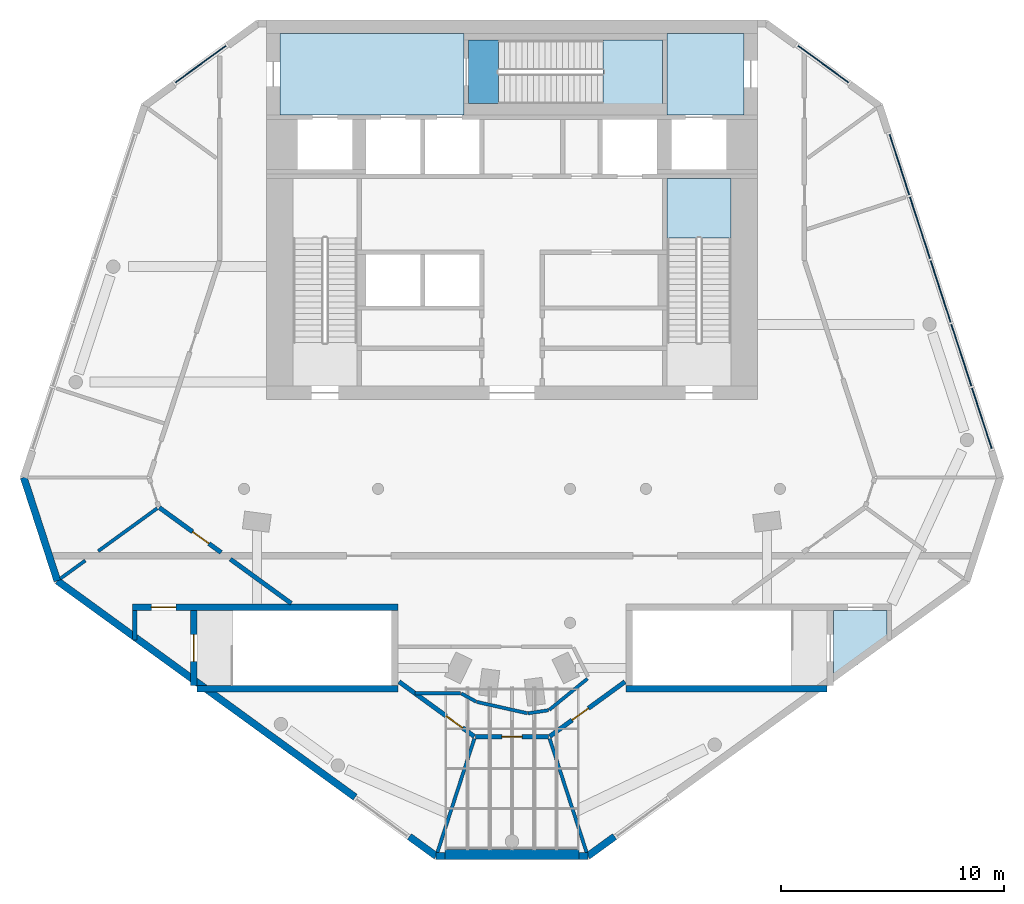
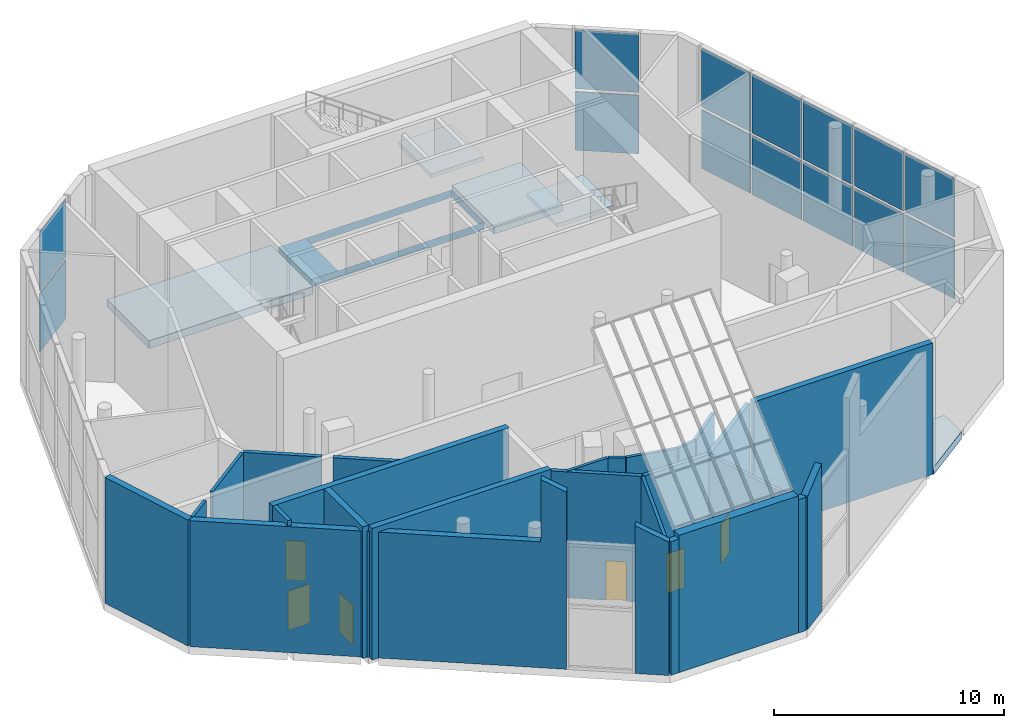
# One storey, part 4 of 9: 26 walls, 14 plates, 6 doors, 6 slabs, 6 openings, 5 elements without a shape of their own.
"""IFC4 building model written with IfcOpenShell, lengths in metres."""

import ifcopenshell
import ifcopenshell.guid

model = None  # the IFC model being written
_history = None  # IfcOwnerHistory: only IFC2X3 demands one
_inside = {}  # id of a spatial element -> (the spatial element, [elements in it])
_under = {}  # id of a project, library or spatial element -> (it, [spatial elements below it])
_declared = {}  # id of a project -> (the project, [libraries it declares])
_typed = {}  # id of a type object -> (the type object, [elements of that type])
_made_of = {}  # id of a material, layer set ... -> (it, [elements and type objects made of it])


def new_model(schema):
    """Start an empty IFC model of exactly this schema.

    Asked for "IFC4X3", IfcOpenShell would pick the latest addendum, in which some entities
    have other attributes; the version numbers below select the first issue.
    IFC2X3 requires an IfcOwnerHistory on every rooted entity: one is made here for all.
    """
    global model, _history
    if schema == "IFC4X3":
        model = ifcopenshell.file(schema_version=(4, 3, 0, 0))
    else:
        model = ifcopenshell.file(schema=schema)
    _inside.clear()
    _under.clear()
    _declared.clear()
    _typed.clear()
    _made_of.clear()
    _history = None
    if model.schema == "IFC2X3":
        org = make("IfcOrganization", Name="unknown")
        user = make(
            "IfcPersonAndOrganization",
            ThePerson=make("IfcPerson", FamilyName="unknown"),
            TheOrganization=org,
        )
        app = make(
            "IfcApplication",
            ApplicationDeveloper=org,
            Version="unknown",
            ApplicationFullName="unknown",
            ApplicationIdentifier="unknown",
        )
        _history = make(
            "IfcOwnerHistory",
            OwningUser=user,
            OwningApplication=app,
            ChangeAction="ADDED",
            CreationDate=0,
        )
    return model


def make(cls, **values):
    """One entity of the class cls with the attributes given. An attribute that is None is left unset."""
    return model.create_entity(
        cls, **{name: value for name, value in values.items() if value is not None}
    )


def rooted(cls, **values):
    """An entity with a GlobalId (a new one), such as an element, a storey or a relation."""
    return make(cls, GlobalId=ifcopenshell.guid.new(), OwnerHistory=_history, **values)


def si_unit(unit_type, name, prefix=None):
    """IfcSIUnit, for example si_unit("LENGTHUNIT", "METRE", prefix="MILLI")."""
    return make("IfcSIUnit", UnitType=unit_type, Prefix=prefix, Name=name)


def assignment(units):
    """IfcUnitAssignment: the units of a project."""
    return None if units is None else make("IfcUnitAssignment", Units=units)


def point(xyz):
    """IfcCartesianPoint."""
    return None if xyz is None else make("IfcCartesianPoint", Coordinates=xyz)


def direction(xyz):
    """IfcDirection."""
    return None if xyz is None else make("IfcDirection", DirectionRatios=xyz)


def frame(location, z_axis=None, x_axis=None):
    """IfcAxis2Placement3D, a coordinate frame: its origin and axes. An axis left out is left unset."""
    return make(
        "IfcAxis2Placement3D",
        Location=point(location),
        Axis=direction(z_axis),
        RefDirection=direction(x_axis),
    )


def frame_2d(location, x_axis=None):
    """IfcAxis2Placement2D, a coordinate frame in the plane: its origin and x axis."""
    return make(
        "IfcAxis2Placement2D", Location=point(location), RefDirection=direction(x_axis)
    )


def origin():
    """The frame at (0, 0, 0) with its axes left unset."""
    return frame((0.0, 0.0, 0.0))


def origin_2d():
    """The frame at (0, 0) in the plane with its x axis left unset."""
    return frame_2d((0.0, 0.0))


def place(relative_to, where):
    """IfcLocalPlacement: puts the frame where relative to a parent placement (None: the world)."""
    return make(
        "IfcLocalPlacement", PlacementRelTo=relative_to, RelativePlacement=where
    )


def context(
    kind, dimensions, precision=None, world=None, true_north=None, identifier=None
):
    """IfcGeometricRepresentationContext, for example the 3D "Model" context."""
    return make(
        "IfcGeometricRepresentationContext",
        ContextIdentifier=identifier,
        ContextType=kind,
        CoordinateSpaceDimension=dimensions,
        Precision=precision,
        WorldCoordinateSystem=world,
        TrueNorth=true_north,
    )


def subcontext(parent, identifier, kind, view, scale=None):
    """IfcGeometricRepresentationSubContext, for example "Body" below "Model"."""
    return make(
        "IfcGeometricRepresentationSubContext",
        ContextIdentifier=identifier,
        ContextType=kind,
        ParentContext=parent,
        TargetScale=scale,
        TargetView=view,
    )


def project(units=None, contexts=None):
    """IfcProject with its units and contexts."""
    return rooted(
        "IfcProject",
        Name="project",
        RepresentationContexts=contexts,
        UnitsInContext=assignment(units),
    )


def spatial(cls, under=None, at=None, **own):
    """A site, building, storey or space (cls), placed at a placement, below another one or the project."""
    s = rooted(cls, ObjectPlacement=at, **own)
    if under is not None:
        _under.setdefault(under.id(), (under, []))[1].append(s)
    return s


def polyline(points):
    """IfcPolyline through the points."""
    return make("IfcPolyline", Points=[point(p) for p in points])


def profile(cls, at=None, kind="AREA", **sizes):
    """A parametric profile (cls). Its sizes go by their IFC names, for example OverallWidth=200.0."""
    return make(cls, ProfileType=kind, Position=at, **sizes)


def rectangle(**sizes):
    """IfcRectangleProfileDef."""
    return profile("IfcRectangleProfileDef", **sizes)


def outline(outer, holes=None, kind="AREA"):
    """IfcArbitraryClosedProfileDef: a profile drawn as a closed curve; with holes, ...WithVoids."""
    if holes is None:
        return make("IfcArbitraryClosedProfileDef", ProfileType=kind, OuterCurve=outer)
    return make(
        "IfcArbitraryProfileDefWithVoids",
        ProfileType=kind,
        OuterCurve=outer,
        InnerCurves=holes,
    )


def extrude(swept, where, along, depth):
    """IfcExtrudedAreaSolid: the profile swept, set in the frame where, extruded along a direction by depth."""
    return make(
        "IfcExtrudedAreaSolid",
        SweptArea=swept,
        Position=where,
        ExtrudedDirection=direction(along),
        Depth=depth,
    )


def shape(context_of_items, identifier, shape_type, items):
    """IfcShapeRepresentation: the items that make up one representation, for example the "Body"."""
    return make(
        "IfcShapeRepresentation",
        ContextOfItems=context_of_items,
        RepresentationIdentifier=identifier,
        RepresentationType=shape_type,
        Items=items,
    )


def material(Name=None, Category=None):
    """IfcMaterial."""
    return make("IfcMaterial", Name=Name, Category=Category)


def layer(
    of_material, thickness, ventilated=None, Name=None, Category=None, Priority=None
):
    """IfcMaterialLayer: one layer of a wall or slab, of a material (None: an air gap)."""
    return make(
        "IfcMaterialLayer",
        Material=of_material,
        LayerThickness=thickness,
        IsVentilated=ventilated,
        Name=Name,
        Category=Category,
        Priority=Priority,
    )


def layer_set(layers, Name=None):
    """IfcMaterialLayerSet."""
    return make("IfcMaterialLayerSet", MaterialLayers=layers, LayerSetName=Name)


def made_of(thing, what):
    """Note that an element or type object is made of a material, layer set ...; save() writes the relation."""
    if what is not None:
        _made_of.setdefault(what.id(), (what, []))[1].append(thing)
    return thing


def type_object(cls, material=None, **own):
    """A type object (cls), such as IfcWallType, which elements share."""
    return made_of(rooted(cls, **own), material)


def element(
    cls,
    number,
    at=None,
    inside=None,
    cuts=None,
    type_object=None,
    material=None,
    context=None,
    identifier="Body",
    shape_type=None,
    held_by="IfcProductDefinitionShape",
    body=None,
    shapes=None,
    **own,
):
    """One element of the class cls, such as IfcWall. Its Tag is "e" and its number.

    at: its placement. inside: the storey or other place that contains it. cuts: it is an
    opening in that element (IfcRelVoidsElement). A single representation is given by context,
    identifier, shape_type and body (its items); several are given by shapes. held_by: the class
    of the entity that holds the representations. save() writes the other relations.
    """
    e = rooted(cls, Tag="e%d" % number, ObjectPlacement=at, **own)
    if body is not None:
        shapes = [shape(context, identifier, shape_type, body)]
    if shapes is not None:
        e.Representation = make(held_by, Representations=shapes)
    if inside is not None:
        _inside.setdefault(inside.id(), (inside, []))[1].append(e)
    if cuts is not None:
        rooted(
            "IfcRelVoidsElement", RelatingBuildingElement=cuts, RelatedOpeningElement=e
        )
    if type_object is not None:
        _typed.setdefault(type_object.id(), (type_object, []))[1].append(e)
    return made_of(e, material)


def fill(opening, filler):
    """IfcRelFillsElement: the door or window that sits in an opening."""
    return rooted(
        "IfcRelFillsElement",
        RelatingOpeningElement=opening,
        RelatedBuildingElement=filler,
    )


def aggregate(whole, parts):
    """IfcRelAggregates: a whole, such as a stair, and the parts it consists of."""
    return rooted("IfcRelAggregates", RelatingObject=whole, RelatedObjects=parts)


def save(model, path):
    """Write the relations noted so far, then the file.

    IfcRelAggregates (storeys below a building ...), IfcRelContainedInSpatialStructure (elements
    in a storey), IfcRelDefinesByType, IfcRelAssociatesMaterial and IfcRelDeclares: one each for
    every whole, place, type object, material and project.
    """
    for whole, parts in _under.values():
        aggregate(whole, parts)
    for where, things in _inside.values():
        rooted(
            "IfcRelContainedInSpatialStructure",
            RelatedElements=things,
            RelatingStructure=where,
        )
    for kind, things in _typed.values():
        rooted("IfcRelDefinesByType", RelatedObjects=things, RelatingType=kind)
    for what, things in _made_of.values():
        rooted("IfcRelAssociatesMaterial", RelatedObjects=things, RelatingMaterial=what)
    for by, libraries in _declared.values():
        rooted("IfcRelDeclares", RelatingContext=by, RelatedDefinitions=libraries)
    model.write(path)


model = new_model("IFC4")

# Units and contexts
model_context = context("Model", 3, precision=1e-05, world=origin(), true_north=direction((0.0, 1.0)))
body_context = subcontext(model_context, "Body", "Model", "MODEL_VIEW")
ifc_project = project(units=[si_unit("LENGTHUNIT", "METRE"), si_unit("AREAUNIT", "SQUARE_METRE"), si_unit("VOLUMEUNIT", "CUBIC_METRE"), si_unit("PLANEANGLEUNIT", "RADIAN"), si_unit("MASSUNIT", "GRAM", prefix="KILO")], contexts=[model_context])

# Site, building, storey
site_placement = place(None, origin())
site = spatial("IfcSite", under=ifc_project, at=site_placement, CompositionType="ELEMENT")
building_placement = place(site_placement, origin())
building = spatial("IfcBuilding", under=site, at=building_placement, Name="White Candle Pilgrim Tower", CompositionType="ELEMENT")
storey_placement = place(building_placement, frame((0.0, 0.0, 321.699951171875)))
storey = spatial("IfcBuildingStorey", under=building, at=storey_placement, Name="L76", CompositionType="ELEMENT", Elevation=321.699951171875)

# Curtain wall, plates
ifc_material_1 = material(Name="Aluminium and glass", Category="aluminium")
curtain_wall_type = type_object("IfcCurtainWallType", Name="Curtain wall CW5 observation deck glazing", PredefinedType="NOTDEFINED", material=ifc_material_1)
curtain_wall_1_placement = place(storey_placement, origin())
curtain_wall_1 = element("IfcCurtainWall", 1, at=curtain_wall_1_placement, inside=storey, type_object=curtain_wall_type, Name="Curtain wall CW5 L76 ENE", PredefinedType="NOTDEFINED")
ifc_material_2 = material(Name="Glass, triple glazed", Category="glass")
ifc_layer_1 = layer(ifc_material_2, 0.048095703125)
ifc_layer_set_1 = layer_set([ifc_layer_1], Name="CW5 glazing panel 48")
plate_type = type_object("IfcPlateType", Name="CW5 glazing panel 48", PredefinedType="CURTAIN_PANEL", material=ifc_layer_set_1)
plate_1_placement = place(storey_placement, frame((91.0439453125, 70.158935546875, 0.16015625), z_axis=(0.0, 0.0, 1.0), x_axis=(-0.309016996931, 0.951056515465, 0.0)))
plate_1 = element("IfcPlate", 2, at=plate_1_placement, type_object=plate_type, Name="CW5 panel 1.1", PredefinedType="CURTAIN_PANEL", context=body_context, shape_type="SweptSolid", body=[
    extrude(rectangle(XDim=2.85009765625, YDim=0.048095703125, at=origin_2d()), origin(), (0.0, 0.0, 1.0), 3.110107421875),
])
plate_2_placement = place(storey_placement, frame((91.0439453125, 70.158935546875, 3.43017578125), z_axis=(0.0, 0.0, 1.0), x_axis=(-0.309016996931, 0.951056515465, 0.0)))
plate_2 = element("IfcPlate", 3, at=plate_2_placement, type_object=plate_type, Name="CW5 panel 1.2", PredefinedType="CURTAIN_PANEL", context=body_context, shape_type="SweptSolid", body=[
    extrude(rectangle(XDim=2.85009765625, YDim=0.048095703125, at=origin_2d()), origin(), (0.0, 0.0, 1.0), 3.110107421875),
])
plate_3_placement = place(storey_placement, frame((90.12451171875, 72.98828125, 0.16015625), z_axis=(0.0, 0.0, 1.0), x_axis=(-0.309016996931, 0.951056515465, 0.0)))
plate_3 = element("IfcPlate", 4, at=plate_3_placement, type_object=plate_type, Name="CW5 panel 2.1", PredefinedType="CURTAIN_PANEL", context=body_context, shape_type="SweptSolid", body=[
    extrude(rectangle(XDim=2.89990234375, YDim=0.048095703125, at=origin_2d()), origin(), (0.0, 0.0, 1.0), 3.110107421875),
])
plate_4_placement = place(storey_placement, frame((90.12451171875, 72.98828125, 3.43017578125), z_axis=(0.0, 0.0, 1.0), x_axis=(-0.309016996931, 0.951056515465, 0.0)))
plate_4 = element("IfcPlate", 5, at=plate_4_placement, type_object=plate_type, Name="CW5 panel 2.2", PredefinedType="CURTAIN_PANEL", context=body_context, shape_type="SweptSolid", body=[
    extrude(rectangle(XDim=2.89990234375, YDim=0.048095703125, at=origin_2d()), origin(), (0.0, 0.0, 1.0), 3.110107421875),
])
plate_5_placement = place(storey_placement, frame((89.197509765625, 75.84130859375, 0.16015625), z_axis=(0.0, 0.0, 1.0), x_axis=(-0.309016996931, 0.951056515465, 0.0)))
plate_5 = element("IfcPlate", 6, at=plate_5_placement, type_object=plate_type, Name="CW5 panel 3.1", PredefinedType="CURTAIN_PANEL", context=body_context, shape_type="SweptSolid", body=[
    extrude(rectangle(XDim=2.89990234375, YDim=0.048095703125, at=origin_2d()), origin(), (0.0, 0.0, 1.0), 3.110107421875),
])
plate_6_placement = place(storey_placement, frame((89.197509765625, 75.84130859375, 3.43017578125), z_axis=(0.0, 0.0, 1.0), x_axis=(-0.309016996931, 0.951056515465, 0.0)))
plate_6 = element("IfcPlate", 7, at=plate_6_placement, type_object=plate_type, Name="CW5 panel 3.2", PredefinedType="CURTAIN_PANEL", context=body_context, shape_type="SweptSolid", body=[
    extrude(rectangle(XDim=2.89990234375, YDim=0.048095703125, at=origin_2d()), origin(), (0.0, 0.0, 1.0), 3.110107421875),
])
plate_7_placement = place(storey_placement, frame((88.2705078125, 78.694580078125, 0.16015625), z_axis=(0.0, 0.0, 1.0), x_axis=(-0.309016996931, 0.951056515465, 0.0)))
plate_7 = element("IfcPlate", 8, at=plate_7_placement, type_object=plate_type, Name="CW5 panel 4.1", PredefinedType="CURTAIN_PANEL", context=body_context, shape_type="SweptSolid", body=[
    extrude(rectangle(XDim=2.89990234375, YDim=0.048095703125, at=origin_2d()), origin(), (0.0, 0.0, 1.0), 3.110107421875),
])
plate_8_placement = place(storey_placement, frame((88.2705078125, 78.694580078125, 3.43017578125), z_axis=(0.0, 0.0, 1.0), x_axis=(-0.309016996931, 0.951056515465, 0.0)))
plate_8 = element("IfcPlate", 9, at=plate_8_placement, type_object=plate_type, Name="CW5 panel 4.2", PredefinedType="CURTAIN_PANEL", context=body_context, shape_type="SweptSolid", body=[
    extrude(rectangle(XDim=2.89990234375, YDim=0.048095703125, at=origin_2d()), origin(), (0.0, 0.0, 1.0), 3.110107421875),
])
plate_9_placement = place(storey_placement, frame((87.35107421875, 81.52392578125, 0.16015625), z_axis=(0.0, 0.0, 1.0), x_axis=(-0.309016996931, 0.951056515465, 0.0)))
plate_9 = element("IfcPlate", 10, at=plate_9_placement, type_object=plate_type, Name="CW5 panel 5.1", PredefinedType="CURTAIN_PANEL", context=body_context, shape_type="SweptSolid", body=[
    extrude(rectangle(XDim=2.85009765625, YDim=0.048095703125, at=origin_2d()), origin(), (0.0, 0.0, 1.0), 3.110107421875),
])
plate_10_placement = place(storey_placement, frame((87.35107421875, 81.52392578125, 3.43017578125), z_axis=(0.0, 0.0, 1.0), x_axis=(-0.309016996931, 0.951056515465, 0.0)))
plate_10 = element("IfcPlate", 11, at=plate_10_placement, type_object=plate_type, Name="CW5 panel 5.2", PredefinedType="CURTAIN_PANEL", context=body_context, shape_type="SweptSolid", body=[
    extrude(rectangle(XDim=2.85009765625, YDim=0.048095703125, at=origin_2d()), origin(), (0.0, 0.0, 1.0), 3.110107421875),
])
aggregate(curtain_wall_1, [plate_1, plate_2, plate_3, plate_4, plate_5, plate_6, plate_7, plate_8, plate_9, plate_10])

curtain_wall_2_placement = place(storey_placement, origin())
curtain_wall_2 = element("IfcCurtainWall", 12, at=curtain_wall_2_placement, inside=storey, type_object=curtain_wall_type, Name="Curtain wall CW5 L76 NE chamfer", PredefinedType="NOTDEFINED")
plate_11_placement = place(storey_placement, frame((83.943115234375, 86.024658203125, 0.16015625), z_axis=(0.0, 0.0, 1.0), x_axis=(-0.809016990148, 0.58778525811, 0.0)))
plate_11 = element("IfcPlate", 13, at=plate_11_placement, type_object=plate_type, Name="CW5 panel 1.1", PredefinedType="CURTAIN_PANEL", context=body_context, shape_type="SweptSolid", body=[
    extrude(rectangle(XDim=2.800048828125, YDim=0.048095703125, at=origin_2d()), origin(), (0.0, 0.0, 1.0), 3.110107421875),
])
plate_12_placement = place(storey_placement, frame((83.943115234375, 86.024658203125, 3.43017578125), z_axis=(0.0, 0.0, 1.0), x_axis=(-0.809016990148, 0.58778525811, 0.0)))
plate_12 = element("IfcPlate", 14, at=plate_12_placement, type_object=plate_type, Name="CW5 panel 1.2", PredefinedType="CURTAIN_PANEL", context=body_context, shape_type="SweptSolid", body=[
    extrude(rectangle(XDim=2.800048828125, YDim=0.048095703125, at=origin_2d()), origin(), (0.0, 0.0, 1.0), 3.110107421875),
])
aggregate(curtain_wall_2, [plate_11, plate_12])

curtain_wall_3_placement = place(storey_placement, origin())
curtain_wall_3 = element("IfcCurtainWall", 15, at=curtain_wall_3_placement, inside=storey, type_object=curtain_wall_type, Name="Curtain wall CW5 L76 NW chamfer", PredefinedType="NOTDEFINED")
plate_13_placement = place(storey_placement, frame((56.056884765625, 86.024658203125, 0.16015625), z_axis=(0.0, 0.0, 1.0), x_axis=(-0.809016990148, -0.58778525811, 0.0)))
plate_13 = element("IfcPlate", 16, at=plate_13_placement, type_object=plate_type, Name="CW5 panel 1.1", PredefinedType="CURTAIN_PANEL", context=body_context, shape_type="SweptSolid", body=[
    extrude(rectangle(XDim=2.800048828125, YDim=0.048095703125, at=origin_2d()), origin(), (0.0, 0.0, 1.0), 3.110107421875),
])
plate_14_placement = place(storey_placement, frame((56.056884765625, 86.024658203125, 3.43017578125), z_axis=(0.0, 0.0, 1.0), x_axis=(-0.809016990148, -0.58778525811, 0.0)))
plate_14 = element("IfcPlate", 17, at=plate_14_placement, type_object=plate_type, Name="CW5 panel 1.2", PredefinedType="CURTAIN_PANEL", context=body_context, shape_type="SweptSolid", body=[
    extrude(rectangle(XDim=2.800048828125, YDim=0.048095703125, at=origin_2d()), origin(), (0.0, 0.0, 1.0), 3.110107421875),
])
aggregate(curtain_wall_3, [plate_13, plate_14])

# Slabs
ifc_material_3 = material(Name="Concrete C40/50", Category="concrete")
ifc_layer_2 = layer(ifc_material_3, 0.39990234375)
ifc_layer_set_2 = layer_set([ifc_layer_2], Name="Core floor slab 400 mm Concrete C40/50")
slab_type_1 = type_object("IfcSlabType", Name="Core floor slab 400 mm Concrete C40/50", PredefinedType="FLOOR", material=ifc_layer_set_2)
slab_1_placement = place(storey_placement, frame((0.0, 0.0, -0.39990234375)))
element("IfcSlab", 18, at=slab_1_placement, inside=storey, type_object=slab_type_1, Name="CF-L76-04", PredefinedType="FLOOR", context=body_context, shape_type="SweptSolid", body=[
    extrude(outline(polyline([(84.39990234375, 58.348876953125), (84.39990234375, 61.550048828125), (86.800048828125, 61.550048828125), (86.800048828125, 60.238037109375), (86.800048828125, 60.0927734375), (84.39990234375, 58.348876953125)])), origin(), (0.0, 0.0, 1.0), 0.39990234375),
])
slab_2_placement = place(storey_placement, frame((0.0, 0.0, -0.39990234375)))
element("IfcSlab", 19, at=slab_2_placement, inside=storey, type_object=slab_type_1, Name="CF-L76-08", PredefinedType="FLOOR", context=body_context, shape_type="SweptSolid", body=[
    extrude(outline(polyline([(59.60009765625, 87.39990234375), (67.85009765625, 87.39990234375), (67.85009765625, 87.10009765625), (67.85009765625, 84.25), (67.85009765625, 83.75), (59.60009765625, 83.75), (59.60009765625, 87.39990234375)])), origin(), (0.0, 0.0, 1.0), 0.39990234375),
])
slab_3_placement = place(storey_placement, frame((0.0, 0.0, -0.39990234375)))
element("IfcSlab", 20, at=slab_3_placement, inside=storey, type_object=slab_type_1, Name="CF-L76-09", PredefinedType="FLOOR", context=body_context, shape_type="SweptSolid", body=[
    extrude(outline(polyline([(80.39990234375, 87.39990234375), (80.39990234375, 83.75), (76.949951171875, 83.75), (76.949951171875, 84.25), (76.949951171875, 87.10009765625), (76.949951171875, 87.39990234375), (80.39990234375, 87.39990234375)])), origin(), (0.0, 0.0, 1.0), 0.39990234375),
])
slab_4_placement = place(storey_placement, frame((0.0, 0.0, -0.39990234375)))
element("IfcSlab", 21, at=slab_4_placement, inside=storey, type_object=slab_type_1, Name="CF-L76-10", PredefinedType="FLOOR", context=body_context, shape_type="SweptSolid", body=[
    extrude(outline(polyline([(68.050048828125, 87.10009765625), (76.75, 87.10009765625), (76.75, 84.25), (68.050048828125, 84.25), (68.050048828125, 87.10009765625)]), holes=[polyline([(69.402099609375, 87.097900390625), (69.402099609375, 84.251953125), (76.748046875, 84.251953125), (76.748046875, 87.097900390625), (69.402099609375, 87.097900390625)])]), origin(), (0.0, 0.0, 1.0), 0.39990234375),
])

# Stair, slab
stair_type_1 = type_object("IfcStairType", Name="Exit stair 2 flight width 1350 mm", PredefinedType="HALF_TURN_STAIR", material=ifc_material_3)
stair_1_placement = place(storey_placement, origin())
stair_1 = element("IfcStair", 22, at=stair_1_placement, inside=storey, type_object=stair_type_1, Name="L76 stair 2", PredefinedType="NOTDEFINED")
ifc_layer_3 = layer(ifc_material_3, 0.199951171875)
ifc_layer_set_3 = layer_set([ifc_layer_3], Name="Stair landing Concrete C40/50")
slab_type_2 = type_object("IfcSlabType", Name="Stair landing Concrete C40/50", PredefinedType="LANDING", material=ifc_layer_set_3)
slab_5_placement = place(storey_placement, frame((0.0, 0.0, 3.300048828125)))
slab_5 = element("IfcSlab", 23, at=slab_5_placement, type_object=slab_type_2, Name="ST2 landing 1", PredefinedType="LANDING", context=body_context, shape_type="SweptSolid", body=[
    extrude(outline(polyline([(79.802001953125, 78.22802734375), (76.947998046875, 78.22802734375), (76.947998046875, 80.902099609375), (79.802001953125, 80.902099609375), (79.802001953125, 78.22802734375)])), origin(), (0.0, 0.0, 1.0), 0.199951171875),
])
aggregate(stair_1, [slab_5])

stair_type_2 = type_object("IfcStairType", Name="Exit stair 3 flight width 1350 mm", PredefinedType="HALF_TURN_STAIR", material=ifc_material_3)
stair_2_placement = place(storey_placement, origin())
stair_2 = element("IfcStair", 24, at=stair_2_placement, inside=storey, type_object=stair_type_2, Name="L76 stair 3", PredefinedType="NOTDEFINED")
slab_6_placement = place(storey_placement, frame((0.0, 0.0, 3.300048828125)))
slab_6 = element("IfcSlab", 25, at=slab_6_placement, type_object=slab_type_2, Name="ST3 landing 1", PredefinedType="LANDING", context=body_context, shape_type="SweptSolid", body=[
    extrude(outline(polyline([(74.077880859375, 84.248046875), (74.077880859375, 87.10205078125), (76.751953125, 87.10205078125), (76.751953125, 84.248046875), (74.077880859375, 84.248046875)])), origin(), (0.0, 0.0, 1.0), 0.199951171875),
])
aggregate(stair_2, [slab_6])

# Wall
ifc_layer_4 = layer(ifc_material_3, 0.199951171875)
ifc_layer_set_4 = layer_set([ifc_layer_4], Name="Core wall 200 mm Concrete C40/50")
wall_type_1 = type_object("IfcWallType", Name="Core wall 200 mm Concrete C40/50", PredefinedType="SHEAR", material=ifc_layer_set_4)
wall_1_placement = place(storey_placement, frame((53.10009765625, 60.238037109375, 0.0), z_axis=(0.0, 0.0, 1.0), x_axis=(0.0, 1.0, 0.0)))
element("IfcWall", 26, at=wall_1_placement, inside=storey, type_object=wall_type_1, Name="WL-L76-C07", PredefinedType="SHEAR", context=body_context, shape_type="SweptSolid", body=[
    extrude(rectangle(XDim=1.31201171875, YDim=0.199951171875, at=frame_2d((0.656005859375, 0.0))), origin(), (0.0, 0.0, 1.0), 7.0),
])

# Wall, opening, door
ifc_material_4 = material(Name="Gypsum board on steel studs", Category="steel")
ifc_layer_5 = layer(ifc_material_4, 0.199951171875)
ifc_layer_set_5 = layer_set([ifc_layer_5], Name="Corridor wall 200 mm EI 45")
wall_type_2 = type_object("IfcWallType", Name="Corridor wall 200 mm EI 45", PredefinedType="PARTITIONING", material=ifc_layer_set_5)
wall_2_placement = place(storey_placement, frame((75.058837890625, 58.360595703125, 0.0), z_axis=(0.0, 0.0, 1.0), x_axis=(-0.809017144694, -0.587785045396, 0.0)))
wall_2 = element("IfcWall", 27, at=wall_2_placement, inside=storey, type_object=wall_type_2, Name="WL-L76-P007", PredefinedType="PARTITIONING", context=body_context, shape_type="SweptSolid", body=[
    extrude(rectangle(XDim=4.168212890625, YDim=0.199951171875, at=frame_2d((2.083984375, 0.0))), origin(), (0.0, 0.0, 1.0), 6.699951171875),
])
opening_1_placement = place(wall_2_placement, frame((2.02490234375, 0.0, 0.0)))
opening_1 = element("IfcOpeningElement", 28, at=opening_1_placement, cuts=wall_2, Name="Opening L76-107", PredefinedType="OPENING", context=body_context, shape_type="SweptSolid", body=[
    extrude(rectangle(XDim=0.89990234375, YDim=2.10009765625, at=frame_2d((0.449951171875, 1.050048828125))), frame((0.0, 0.10986328125, 0.0), z_axis=(0.0, -1.0, 0.0), x_axis=(1.0, 0.0, 0.0)), (0.0, 0.0, 1.0), 0.219970703125),
])
ifc_material_5 = material(Name="Steel door leaf", Category="steel")
door_type_1 = type_object("IfcDoorType", Name="Fire door 900 x 2100 EI 30", OperationType="NOTDEFINED", PredefinedType="DOOR", material=ifc_material_5)
door_1_placement = place(opening_1_placement, origin())
door_1 = element("IfcDoor", 29, at=door_1_placement, inside=storey, type_object=door_type_1, Name="Door L76-107", OperationType="SINGLE_SWING_LEFT", OverallHeight=2.10009765625, OverallWidth=0.89990234375, PredefinedType="DOOR", context=body_context, shape_type="SweptSolid", body=[
    extrude(rectangle(XDim=0.89990234375, YDim=2.10009765625, at=frame_2d((0.449951171875, 1.050048828125))), frame((0.0, 0.02490234375, 0.0), z_axis=(0.0, -1.0, 0.0), x_axis=(1.0, 0.0, 0.0)), (0.0, 0.0, 1.0), 0.050048828125),
])
fill(opening_1, door_1)

wall_3_placement = place(storey_placement, frame((71.6279296875, 55.8916015625, 0.0), z_axis=(0.0, 0.0, 1.0), x_axis=(-1.0, 0.0, 0.0)))
wall_3 = element("IfcWall", 30, at=wall_3_placement, inside=storey, type_object=wall_type_2, Name="WL-L76-P008", PredefinedType="PARTITIONING", context=body_context, shape_type="SweptSolid", body=[
    extrude(rectangle(XDim=3.255859375, YDim=0.199951171875, at=frame_2d((1.6279296875, 0.0))), origin(), (0.0, 0.0, 1.0), 6.699951171875),
])
opening_2_placement = place(wall_3_placement, frame((1.177978515625, 0.0, 0.0)))
opening_2 = element("IfcOpeningElement", 31, at=opening_2_placement, cuts=wall_3, Name="Opening L76-106", PredefinedType="OPENING", context=body_context, shape_type="SweptSolid", body=[
    extrude(rectangle(XDim=0.89990234375, YDim=2.10009765625, at=frame_2d((0.449951171875, 1.050048828125))), frame((0.0, 0.10986328125, 0.0), z_axis=(0.0, -1.0, 0.0), x_axis=(1.0, 0.0, 0.0)), (0.0, 0.0, 1.0), 0.219970703125),
])
door_2_placement = place(opening_2_placement, origin())
door_2 = element("IfcDoor", 32, at=door_2_placement, inside=storey, type_object=door_type_1, Name="Door L76-106", OperationType="SINGLE_SWING_RIGHT", OverallHeight=2.10009765625, OverallWidth=0.89990234375, PredefinedType="DOOR", context=body_context, shape_type="SweptSolid", body=[
    extrude(rectangle(XDim=0.89990234375, YDim=2.10009765625, at=frame_2d((0.449951171875, 1.050048828125))), frame((0.0, 0.02490234375, 0.0), z_axis=(0.0, -1.0, 0.0), x_axis=(1.0, 0.0, 0.0)), (0.0, 0.0, 1.0), 0.050048828125),
])
fill(opening_2, door_2)

wall_4_placement = place(storey_placement, frame((68.313232421875, 55.91064453125, 0.0), z_axis=(0.0, 0.0, 1.0), x_axis=(-0.809017144694, 0.587785045396, 0.0)))
wall_4 = element("IfcWall", 33, at=wall_4_placement, inside=storey, type_object=wall_type_2, Name="WL-L76-P009", PredefinedType="PARTITIONING", context=body_context, shape_type="SweptSolid", body=[
    extrude(rectangle(XDim=4.168212890625, YDim=0.199951171875, at=frame_2d((2.083984375, 0.0))), origin(), (0.0, 0.0, 1.0), 6.699951171875),
])
opening_3_placement = place(wall_4_placement, frame((0.654296875, 0.0, 0.0)))
opening_3 = element("IfcOpeningElement", 34, at=opening_3_placement, cuts=wall_4, Name="Opening L76-105", PredefinedType="OPENING", context=body_context, shape_type="SweptSolid", body=[
    extrude(rectangle(XDim=0.89990234375, YDim=2.10009765625, at=frame_2d((0.449951171875, 1.050048828125))), frame((0.0, 0.10986328125, 0.0), z_axis=(0.0, -1.0, 0.0), x_axis=(1.0, 0.0, 0.0)), (0.0, 0.0, 1.0), 0.219970703125),
])
door_3_placement = place(opening_3_placement, origin())
door_3 = element("IfcDoor", 35, at=door_3_placement, inside=storey, type_object=door_type_1, Name="Door L76-105", OperationType="SINGLE_SWING_LEFT", OverallHeight=2.10009765625, OverallWidth=0.89990234375, PredefinedType="DOOR", context=body_context, shape_type="SweptSolid", body=[
    extrude(rectangle(XDim=0.89990234375, YDim=2.10009765625, at=frame_2d((0.449951171875, 1.050048828125))), frame((0.0, 0.02490234375, 0.0), z_axis=(0.0, -1.0, 0.0), x_axis=(1.0, 0.0, 0.0)), (0.0, 0.0, 1.0), 0.050048828125),
])
fill(opening_3, door_3)

# Wall
wall_5_placement = place(storey_placement, frame((60.112060546875, 61.869140625, 0.0), z_axis=(0.0, 0.0, 1.0), x_axis=(-0.809017922832, 0.587783974379, 0.0)))
element("IfcWall", 36, at=wall_5_placement, inside=storey, type_object=wall_type_2, Name="WL-L76-P010", PredefinedType="PARTITIONING", context=body_context, shape_type="SweptSolid", body=[
    extrude(rectangle(XDim=3.3701171875, YDim=0.199951171875, at=frame_2d((1.68505859375, 0.0))), origin(), (0.0, 0.0, 1.0), 6.699951171875),
])

# Wall, opening, door
wall_6_placement = place(storey_placement, frame((56.97265625, 64.14990234375, 0.0), z_axis=(0.0, 0.0, 1.0), x_axis=(-0.80899208188, 0.587819539872, 0.0)))
wall_6 = element("IfcWall", 37, at=wall_6_placement, inside=storey, type_object=wall_type_2, Name="WL-L76-P011", PredefinedType="PARTITIONING", context=body_context, shape_type="SweptSolid", body=[
    extrude(rectangle(XDim=3.421875, YDim=0.199951171875, at=frame_2d((1.7109375, 0.0))), origin(), (0.0, 0.0, 1.0), 6.699951171875),
])
opening_4_placement = place(wall_6_placement, frame((0.681640625, 0.0, 0.0)))
opening_4 = element("IfcOpeningElement", 38, at=opening_4_placement, cuts=wall_6, Name="Opening L76-104", PredefinedType="OPENING", context=body_context, shape_type="SweptSolid", body=[
    extrude(rectangle(XDim=0.89990234375, YDim=2.10009765625, at=frame_2d((0.449951171875, 1.050048828125))), frame((0.0, 0.10986328125, 0.0), z_axis=(0.0, -1.0, 0.0), x_axis=(1.0, 0.0, 0.0)), (0.0, 0.0, 1.0), 0.219970703125),
])
door_4_placement = place(opening_4_placement, origin())
door_4 = element("IfcDoor", 39, at=door_4_placement, inside=storey, type_object=door_type_1, Name="Door L76-104", OperationType="SINGLE_SWING_RIGHT", OverallHeight=2.10009765625, OverallWidth=0.89990234375, PredefinedType="DOOR", context=body_context, shape_type="SweptSolid", body=[
    extrude(rectangle(XDim=0.89990234375, YDim=2.10009765625, at=frame_2d((0.449951171875, 1.050048828125))), frame((0.0, 0.02490234375, 0.0), z_axis=(0.0, -1.0, 0.0), x_axis=(1.0, 0.0, 0.0)), (0.0, 0.0, 1.0), 0.050048828125),
])
fill(opening_4, door_4)

# Walls
ifc_material_6 = material(Name="Precast concrete C40/50", Category="concrete")
ifc_layer_6 = layer(ifc_material_6, 0.320068359375)
ifc_layer_set_6 = layer_set([ifc_layer_6], Name="Facade wall EW1 precast concrete C40/50 pier wall with timber-lined reveals")
wall_type_3 = type_object("IfcWallType", Name="Facade wall EW1 precast concrete C40/50 pier wall with timber-lined reveals", PredefinedType="SOLIDWALL", material=ifc_layer_set_6)
wall_7_placement = place(storey_placement, frame((48.1318359375, 67.508544921875, 0.0), z_axis=(0.0, 0.0, 1.0), x_axis=(0.309024817117, -0.951053974497, 0.0)))
element("IfcWall", 40, at=wall_7_placement, inside=storey, type_object=wall_type_3, Name="Facade wall L76 W chamfer", PredefinedType="SOLIDWALL", context=body_context, shape_type="SweptSolid", body=[
    extrude(rectangle(XDim=4.86669921875, YDim=0.320068359375, at=frame_2d((2.433349609375, 0.0))), origin(), (0.0, 0.0, 1.0), 6.699951171875),
])
wall_8_placement = place(storey_placement, frame((49.6357421875, 62.880126953125, 0.0), z_axis=(0.0, 0.0, 1.0), x_axis=(0.809009420969, -0.587795676051, 0.0)))
element("IfcWall", 41, at=wall_8_placement, inside=storey, type_object=wall_type_3, Name="Facade wall L76 SW", PredefinedType="SOLIDWALL", context=body_context, shape_type="SweptSolid", body=[
    extrude(outline(polyline([(0.0, 0.0), (16.4873046875, 0.0), (16.4873046875, 9.42724609375), (15.363525390625, 10.011962890625), (15.361572265625, 6.699951171875), (0.0, 6.699951171875), (0.0, 0.0)])), frame((0.0, 0.16015625, 0.0), z_axis=(0.0, -1.0, 0.0), x_axis=(1.0, 0.0, 0.0)), (0.0, 0.0, 1.0), 0.320068359375),
])
wall_9_placement = place(storey_placement, frame((65.401123046875, 51.42578125, 0.0), z_axis=(0.0, 0.0, 1.0), x_axis=(0.809026994241, -0.587771488411, 0.0)))
element("IfcWall", 42, at=wall_9_placement, inside=storey, type_object=wall_type_3, Name="Facade wall L76 SW", PredefinedType="SOLIDWALL", context=body_context, shape_type="SweptSolid", body=[
    extrude(outline(polyline([(0.0, 0.0), (1.487548828125, 0.0), (1.4873046875, 7.091796875), (0.0, 7.86572265625), (0.0, 0.0)])), frame((0.0, 0.16015625, 0.0), z_axis=(0.0, -1.0, 0.0), x_axis=(1.0, 0.0, 0.0)), (0.0, 0.0, 1.0), 0.320068359375),
])
for number, where, z_axis, x_axis, name in (
    (43, (66.6044921875, 50.551513671875, 0.0), (0.0, 0.0, 1.0), (1.0, 0.0, 0.0), "Facade wall L76 S chamfer"),
    (44, (73.0, 50.551513671875, 0.0), (0.0, 0.0, 1.0), (1.0, 0.0, 0.0), "Facade wall L76 S chamfer"),
):
    element("IfcWall", number, at=place(storey_placement, frame(where, z_axis=z_axis, x_axis=x_axis)), inside=storey, type_object=wall_type_3, Name=name, PredefinedType="SOLIDWALL", context=body_context, shape_type="SweptSolid", body=[
        extrude(outline(polyline([(0.0, 0.0), (0.3955078125, 0.0), (0.3955078125, 7.091796875), (0.0, 7.091796875), (0.0, 0.0)])), frame((0.0, 0.16015625, 0.0), z_axis=(0.0, -1.0, 0.0), x_axis=(1.0, 0.0, 0.0)), (0.0, 0.0, 1.0), 0.320068359375),
    ])
wall_10_placement = place(storey_placement, frame((73.3955078125, 50.551513671875, 0.0), z_axis=(0.0, 0.0, 1.0), x_axis=(0.809026994241, 0.587771488411, 0.0)))
element("IfcWall", 45, at=wall_10_placement, inside=storey, type_object=wall_type_3, Name="Facade wall L76 SE", PredefinedType="SOLIDWALL", context=body_context, shape_type="SweptSolid", body=[
    extrude(outline(polyline([(0.0, 0.0), (1.487548828125, 0.0), (1.4873046875, 7.86572265625), (0.0, 7.091796875), (0.0, 0.0)])), frame((0.0, 0.16015625, 0.0), z_axis=(0.0, -1.0, 0.0), x_axis=(1.0, 0.0, 0.0)), (0.0, 0.0, 1.0), 0.320068359375),
])
ifc_layer_7 = layer(ifc_material_4, 0.14990234375)
ifc_layer_set_7 = layer_set([ifc_layer_7], Name="Partition 150 mm EI 60")
wall_type_4 = type_object("IfcWallType", Name="Partition 150 mm EI 60", PredefinedType="PARTITIONING", material=ifc_layer_set_7)
wall_11_placement = place(storey_placement, frame((49.771728515625, 62.97900390625, 0.0), z_axis=(0.0, 0.0, 1.0), x_axis=(0.809065225247, 0.587718862464, 0.0)))
element("IfcWall", 46, at=wall_11_placement, inside=storey, type_object=wall_type_4, Name="WL-L76-P017", PredefinedType="PARTITIONING", context=body_context, shape_type="SweptSolid", body=[
    extrude(rectangle(XDim=1.378662109375, YDim=0.14990234375, at=frame_2d((0.689453125, 0.0))), origin(), (0.0, 0.0, 1.0), 6.699951171875),
])
wall_12_placement = place(storey_placement, frame((51.467041015625, 64.210693359375, 0.0), z_axis=(0.0, 0.0, 1.0), x_axis=(0.809030138474, 0.587767160567, 0.0)))
element("IfcWall", 47, at=wall_12_placement, inside=storey, type_object=wall_type_4, Name="WL-L76-P018", PredefinedType="PARTITIONING", context=body_context, shape_type="SweptSolid", body=[
    extrude(rectangle(XDim=3.26611328125, YDim=0.14990234375, at=frame_2d((1.633056640625, 0.0))), origin(), (0.0, 0.0, 1.0), 6.699951171875),
])
for number, where, z_axis, x_axis, name in (
    (48, (66.656494140625, 50.71142578125, 0.0), (0.0, 0.0, 1.0), (0.309005759413, 0.951060166682, 0.0), "WL-L76-P019"),
    (49, (73.343505859375, 50.71142578125, 0.0), (0.0, 0.0, 1.0), (-0.309005759413, 0.951060166682, 0.0), "WL-L76-P020"),
):
    element("IfcWall", number, at=place(storey_placement, frame(where, z_axis=z_axis, x_axis=x_axis)), inside=storey, type_object=wall_type_4, Name=name, PredefinedType="PARTITIONING", context=body_context, shape_type="SweptSolid", body=[
        extrude(rectangle(XDim=5.361572265625, YDim=0.14990234375, at=frame_2d((2.6806640625, 0.0))), origin(), (0.0, 0.0, 1.0), 6.699951171875),
    ])
wall_13_placement = place(storey_placement, frame((68.39697265625, 57.46630859375, 0.0), z_axis=(0.0, 0.0, 1.0), x_axis=(-0.874987806076, 0.484144956825, 0.0)))
element("IfcWall", 50, at=wall_13_placement, inside=storey, type_object=wall_type_4, Name="WL-L76-P027", PredefinedType="PARTITIONING", context=body_context, shape_type="SweptSolid", body=[
    extrude(rectangle(XDim=0.761474609375, YDim=0.14990234375, at=frame_2d((0.380859375, 0.0))), origin(), (0.0, 0.0, 1.0), 6.699951171875),
])
wall_14_placement = place(storey_placement, frame((67.694580078125, 57.844482421875, 0.0), z_axis=(0.0, 0.0, 1.0), x_axis=(-1.0, 0.0, 0.0)))
element("IfcWall", 51, at=wall_14_placement, inside=storey, type_object=wall_type_4, Name="WL-L76-P028", PredefinedType="PARTITIONING", context=body_context, shape_type="SweptSolid", body=[
    extrude(rectangle(XDim=2.04296875, YDim=0.14990234375, at=frame_2d((1.021484375, 0.0))), origin(), (0.0, 0.0, 1.0), 6.699951171875),
])
wall_15_placement = place(storey_placement, frame((73.37841796875, 58.495849609375, 0.0), z_axis=(0.0, 0.0, 1.0), x_axis=(-0.774892088392, -0.632093546358, 0.0)))
element("IfcWall", 52, at=wall_15_placement, inside=storey, type_object=wall_type_4, Name="WL-L76-P032", PredefinedType="PARTITIONING", context=body_context, shape_type="SweptSolid", body=[
    extrude(rectangle(XDim=2.208984375, YDim=0.14990234375, at=frame_2d((1.1044921875, 0.0))), origin(), (0.0, 0.0, 1.0), 6.699951171875),
])
wall_16_placement = place(storey_placement, frame((71.630615234375, 57.083740234375, 0.0), z_axis=(0.0, 0.0, 1.0), x_axis=(-0.988809432603, -0.14918413453, 0.0)))
element("IfcWall", 53, at=wall_16_placement, inside=storey, type_object=wall_type_4, Name="WL-L76-P033", PredefinedType="PARTITIONING", context=body_context, shape_type="SweptSolid", body=[
    extrude(rectangle(XDim=0.919677734375, YDim=0.14990234375, at=frame_2d((0.4599609375, 0.0))), origin(), (0.0, 0.0, 1.0), 6.699951171875),
])
wall_17_placement = place(storey_placement, frame((70.693603515625, 56.947509765625, 0.0), z_axis=(0.0, 0.0, 1.0), x_axis=(-0.975702102624, 0.219101362241, 0.0)))
element("IfcWall", 54, at=wall_17_placement, inside=storey, type_object=wall_type_4, Name="WL-L76-P034", PredefinedType="PARTITIONING", context=body_context, shape_type="SweptSolid", body=[
    extrude(rectangle(XDim=2.333251953125, YDim=0.14990234375, at=frame_2d((1.16650390625, 0.0))), origin(), (0.0, 0.0, 1.0), 6.699951171875),
])
ifc_layer_8 = layer(ifc_material_6, 0.449951171875)
ifc_layer_set_8 = layer_set([ifc_layer_8], Name="Skylight upstand EW7 precast concrete C40/50 450")
wall_type_5 = type_object("IfcWallType", Name="Skylight upstand EW7 precast concrete C40/50 450", PredefinedType="SOLIDWALL", material=ifc_layer_set_8)
wall_18_placement = place(storey_placement, frame((67.0, 50.616455078125, 0.0), z_axis=(0.0, 0.0, 1.0), x_axis=(1.0, 0.0, 0.0)))
element("IfcWall", 55, at=wall_18_placement, inside=storey, type_object=wall_type_5, Name="Skylight upstand", PredefinedType="SOLIDWALL", context=body_context, shape_type="SweptSolid", body=[
    extrude(rectangle(XDim=6.0, YDim=0.449951171875, at=frame_2d((3.0, 0.0))), origin(), (0.0, 0.0, 1.0), 7.298583984375),
])
ifc_layer_9 = layer(ifc_material_3, 0.300048828125)
ifc_layer_set_9 = layer_set([ifc_layer_9], Name="Stair shaft wall 300 mm Concrete C40/50")
wall_type_6 = type_object("IfcWallType", Name="Stair shaft wall 300 mm Concrete C40/50", PredefinedType="SHEAR", material=ifc_layer_set_9)
for number, where, z_axis, x_axis, name in (
    (56, (55.89990234375, 58.050048828125, 0.0), (0.0, 0.0, 1.0), (1.0, 0.0, 0.0), "WL-L76-C01"),
    (57, (75.10009765625, 58.050048828125, 0.0), (0.0, 0.0, 1.0), (1.0, 0.0, 0.0), "WL-L76-C02"),
):
    element("IfcWall", number, at=place(storey_placement, frame(where, z_axis=z_axis, x_axis=x_axis)), inside=storey, type_object=wall_type_6, Name=name, PredefinedType="SHEAR", context=body_context, shape_type="SweptSolid", body=[
        extrude(rectangle(XDim=9.0, YDim=0.300048828125, at=frame_2d((4.5, 0.0))), origin(), (0.0, 0.0, 1.0), 7.0),
    ])

# Wall, opening, door
wall_19_placement = place(storey_placement, frame((55.75, 58.199951171875, 0.0), z_axis=(0.0, 0.0, 1.0), x_axis=(0.0, 1.0, 0.0)))
wall_19 = element("IfcWall", 58, at=wall_19_placement, inside=storey, type_object=wall_type_6, Name="WL-L76-C03", PredefinedType="SHEAR", context=body_context, shape_type="SweptSolid", body=[
    extrude(rectangle(XDim=3.35009765625, YDim=0.300048828125, at=frame_2d((1.675048828125, 0.0))), origin(), (0.0, 0.0, 1.0), 7.0),
])
opening_5_placement = place(wall_19_placement, frame((1.074951171875, 0.0, 0.0)))
opening_5 = element("IfcOpeningElement", 59, at=opening_5_placement, cuts=wall_19, Name="Opening L76-012", PredefinedType="OPENING", context=body_context, shape_type="SweptSolid", body=[
    extrude(rectangle(XDim=1.199951171875, YDim=2.10009765625, at=frame_2d((0.60009765625, 1.050048828125))), frame((0.0, 0.159912109375, 0.0), z_axis=(0.0, -1.0, 0.0), x_axis=(1.0, 0.0, 0.0)), (0.0, 0.0, 1.0), 0.320068359375),
])
door_type_2 = type_object("IfcDoorType", Name="Fire door 1200 x 2100 EI 60", OperationType="NOTDEFINED", PredefinedType="DOOR", material=ifc_material_5)
door_5_placement = place(opening_5_placement, frame((1.199951171875, 0.0, 0.0), z_axis=(0.0, 0.0, 1.0), x_axis=(-1.0, 0.0, 0.0)))
door_5 = element("IfcDoor", 60, at=door_5_placement, inside=storey, type_object=door_type_2, Name="Door L76-012", OperationType="SINGLE_SWING_LEFT", OverallHeight=2.10009765625, OverallWidth=1.199951171875, PredefinedType="DOOR", context=body_context, shape_type="SweptSolid", body=[
    extrude(rectangle(XDim=1.199951171875, YDim=2.10009765625, at=frame_2d((0.60009765625, 1.050048828125))), frame((0.0, 0.02490234375, 0.0), z_axis=(0.0, -1.0, 0.0), x_axis=(1.0, 0.0, 0.0)), (0.0, 0.0, 1.0), 0.050048828125),
])
fill(opening_5, door_5)

wall_20_placement = place(storey_placement, frame((53.0, 61.699951171875, 0.0), z_axis=(0.0, 0.0, 1.0), x_axis=(1.0, 0.0, 0.0)))
wall_20 = element("IfcWall", 61, at=wall_20_placement, inside=storey, type_object=wall_type_6, Name="WL-L76-C09", PredefinedType="SHEAR", context=body_context, shape_type="SweptSolid", body=[
    extrude(rectangle(XDim=11.89990234375, YDim=0.300048828125, at=frame_2d((5.949951171875, 0.0))), origin(), (0.0, 0.0, 1.0), 7.0),
])
opening_6_placement = place(wall_20_placement, frame((0.85009765625, 0.0, 0.0)))
opening_6 = element("IfcOpeningElement", 62, at=opening_6_placement, cuts=wall_20, Name="Opening L76-011", PredefinedType="OPENING", context=body_context, shape_type="SweptSolid", body=[
    extrude(rectangle(XDim=1.10009765625, YDim=2.10009765625, at=frame_2d((0.550048828125, 1.050048828125))), frame((0.0, 0.159912109375, 0.0), z_axis=(0.0, -1.0, 0.0), x_axis=(1.0, 0.0, 0.0)), (0.0, 0.0, 1.0), 0.320068359375),
])
door_type_3 = type_object("IfcDoorType", Name="Fire door 1100 x 2100 EI 60", OperationType="NOTDEFINED", PredefinedType="DOOR", material=ifc_material_5)
door_6_placement = place(opening_6_placement, frame((1.10009765625, 0.0, 0.0), z_axis=(0.0, 0.0, 1.0), x_axis=(-1.0, 0.0, 0.0)))
door_6 = element("IfcDoor", 63, at=door_6_placement, inside=storey, type_object=door_type_3, Name="Door L76-011", OperationType="SINGLE_SWING_RIGHT", OverallHeight=2.10009765625, OverallWidth=1.10009765625, PredefinedType="DOOR", context=body_context, shape_type="SweptSolid", body=[
    extrude(rectangle(XDim=1.10009765625, YDim=2.10009765625, at=frame_2d((0.550048828125, 1.050048828125))), frame((0.0, 0.02490234375, 0.0), z_axis=(0.0, -1.0, 0.0), x_axis=(1.0, 0.0, 0.0)), (0.0, 0.0, 1.0), 0.050048828125),
])
fill(opening_6, door_6)

save(model, "model.ifc")
